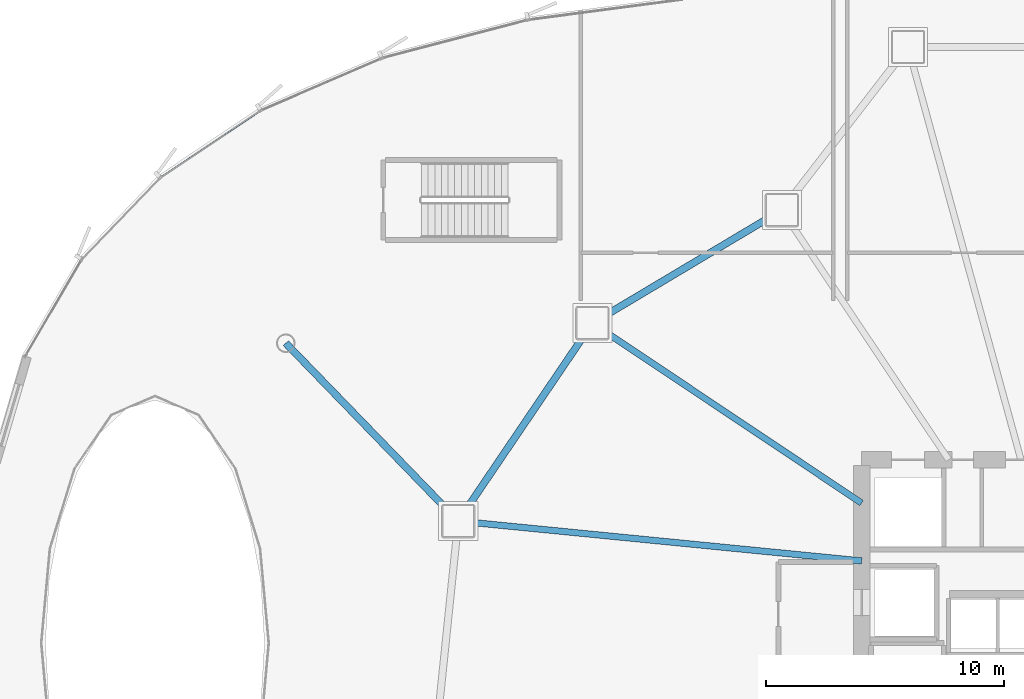
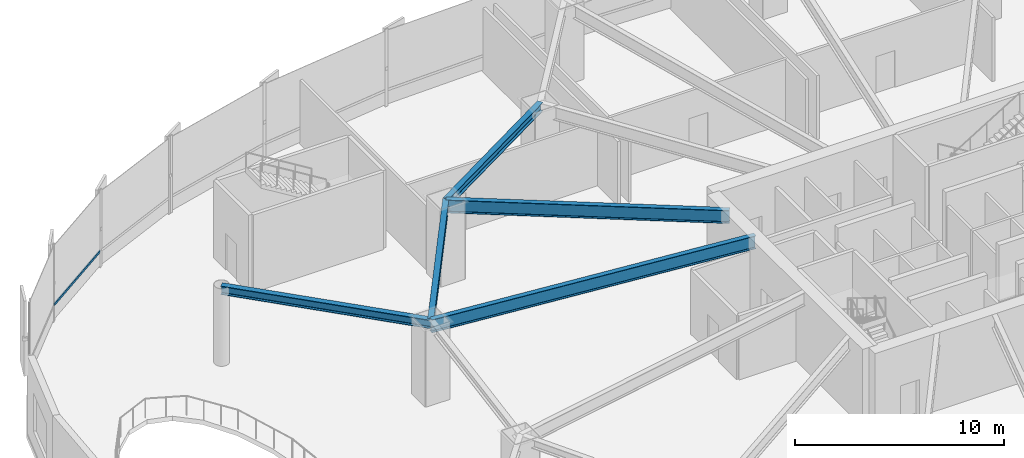
# One storey, part 11 of 34: 5 beams, 1 member, 1 element without a shape of its own.
"""IFC4 building model written with IfcOpenShell, lengths in metres."""

from ifc_helpers import new_model, si_unit, direction, frame, origin, origin_2d, place, context, subcontext, project, spatial, hollow_rectangle, i_section, extrude, source, transform, mapped, material, layer, layer_set, material_profile, profile_set, type_object, element, aggregate, save


model = new_model("IFC4")

# Units and contexts
model_context = context("Model", 3, precision=1e-05, world=origin(), true_north=direction((0.0, 1.0)))
body_context = subcontext(model_context, "Body", "Model", "MODEL_VIEW")
ifc_project = project(units=[si_unit("LENGTHUNIT", "METRE"), si_unit("AREAUNIT", "SQUARE_METRE"), si_unit("VOLUMEUNIT", "CUBIC_METRE"), si_unit("PLANEANGLEUNIT", "RADIAN"), si_unit("MASSUNIT", "GRAM", prefix="KILO"), si_unit("THERMODYNAMICTEMPERATUREUNIT", "KELVIN")], contexts=[model_context])

# Site, building, storey
site_placement = place(None, origin())
site = spatial("IfcSite", under=ifc_project, at=site_placement, CompositionType="ELEMENT")
building_placement = place(site_placement, origin())
building = spatial("IfcBuilding", under=site, at=building_placement, Name="Kethvar Cultural Tower", CompositionType="ELEMENT")
storey_placement = place(building_placement, frame((0.0, 0.0, 14.800048828125)))
storey = spatial("IfcBuildingStorey", under=building, at=storey_placement, Name="L03", CompositionType="ELEMENT", Elevation=14.800048828125)

# Beams
ifc_material_1 = material(Name="Steel S355J2", Category="steel")
ifc_material_profile_1 = material_profile(ifc_material_1, i_section(OverallWidth=0.300048828125, OverallDepth=0.5, WebThickness=0.014404296875, FlangeThickness=0.028076171875, FilletRadius=0.027099609375, at=origin_2d()), Name="Steel S355J2 — HEB500")
ifc_profile_set_1 = profile_set([ifc_material_profile_1], Name="Steel S355J2 — HEB500")
beam_type_1 = type_object("IfcBeamType", Name="BM-SP500", PredefinedType="SPANDREL", material=ifc_profile_set_1)
shared_shape_1 = source(origin(), body_context, "Body", "SweptSolid", [
    extrude(i_section(OverallWidth=0.300048828125, OverallDepth=0.5, WebThickness=0.014404296875, FlangeThickness=0.028076171875, FilletRadius=0.027099609375, at=origin_2d()), origin(), (0.0, 0.0, 1.0), 9.270263671875),
])
beam_1_placement = place(storey_placement, frame((34.64599609375, 45.98974609375, 4.27783203125), z_axis=(-0.858814626354, -0.51228647997, 0.0), x_axis=(0.51228647997, -0.858814626354, 0.0)))
element("IfcBeam", 1, at=beam_1_placement, inside=storey, type_object=beam_type_1, Name="L03 Podium Ring Beam 06", PredefinedType="SPANDREL", context=body_context, shape_type="MappedRepresentation", body=[
    mapped(shared_shape_1, transform((0.0, 0.0, 0.0), scale=1.0)),
])
shared_shape_2 = source(origin(), body_context, "Body", "SweptSolid", [
    extrude(i_section(OverallWidth=0.300048828125, OverallDepth=0.5, WebThickness=0.014404296875, FlangeThickness=0.028076171875, FilletRadius=0.027099609375, at=origin_2d()), origin(), (0.0, 0.0, 1.0), 10.048583984375),
])
beam_2_placement = place(storey_placement, frame((26.6845703125, 41.24072265625, 4.27783203125), z_axis=(-0.561025415443, -0.827798576483, 0.0), x_axis=(0.827798576483, -0.561025415443, 0.0)))
element("IfcBeam", 2, at=beam_2_placement, inside=storey, type_object=beam_type_1, Name="L03 Podium Ring Beam 07", PredefinedType="SPANDREL", context=body_context, shape_type="MappedRepresentation", body=[
    mapped(shared_shape_2, transform((0.0, 0.0, 0.0), scale=1.0)),
])
shared_shape_3 = source(origin(), body_context, "Body", "SweptSolid", [
    extrude(i_section(OverallWidth=0.300048828125, OverallDepth=0.5, WebThickness=0.014404296875, FlangeThickness=0.028076171875, FilletRadius=0.027099609375, at=origin_2d()), origin(), (0.0, 0.0, 1.0), 10.4130859375),
])
beam_3_placement = place(storey_placement, frame((13.800048828125, 40.39990234375, 4.27783203125), z_axis=(0.695965659729, -0.718075066047, 0.0), x_axis=(0.718075066047, 0.695965659729, 0.0)))
element("IfcBeam", 3, at=beam_3_placement, inside=storey, type_object=beam_type_1, Name="L03 West Atrium Wing Beam 02", PredefinedType="SPANDREL", context=body_context, shape_type="MappedRepresentation", body=[
    mapped(shared_shape_3, transform((0.0, 0.0, 0.0), scale=1.0)),
])
ifc_material_profile_2 = material_profile(ifc_material_1, i_section(OverallWidth=0.26708984375, OverallDepth=0.761962890625, WebThickness=0.014404296875, FlangeThickness=0.021484375, FilletRadius=0.01708984375, at=origin_2d()), Name="Steel S355J2 — IPE750x173")
ifc_profile_set_2 = profile_set([ifc_material_profile_2], Name="Steel S355J2 — IPE750x173")
beam_type_2 = type_object("IfcBeamType", Name="BM-IPE750", PredefinedType="BEAM", material=ifc_profile_set_2)
shared_shape_4 = source(origin(), body_context, "Body", "SweptSolid", [
    extrude(i_section(OverallWidth=0.26708984375, OverallDepth=0.761962890625, WebThickness=0.014404296875, FlangeThickness=0.021484375, FilletRadius=0.01708984375, at=origin_2d()), origin(), (0.0, 0.0, 1.0), 13.60888671875),
])
beam_4_placement = place(storey_placement, frame((38.0, 33.679931640625, 4.14697265625), z_axis=(-0.831467486755, 0.555573414113, 0.0), x_axis=(-0.555573414113, -0.831467486755, 0.0)))
element("IfcBeam", 4, at=beam_4_placement, inside=storey, type_object=beam_type_2, Name="L03 Podium Radial Girder 07", PredefinedType="BEAM", context=body_context, shape_type="MappedRepresentation", body=[
    mapped(shared_shape_4, transform((0.0, 0.0, 0.0), scale=1.0)),
])
shared_shape_5 = source(origin(), body_context, "Body", "SweptSolid", [
    extrude(i_section(OverallWidth=0.26708984375, OverallDepth=0.761962890625, WebThickness=0.014404296875, FlangeThickness=0.021484375, FilletRadius=0.01708984375, at=origin_2d()), origin(), (0.0, 0.0, 1.0), 17.03515625),
])
beam_5_placement = place(storey_placement, frame((38.0, 31.25, 4.14697265625), z_axis=(-0.995168138859, 0.098185413375, 0.0), x_axis=(-0.098185413375, -0.995168138859, 0.0)))
element("IfcBeam", 5, at=beam_5_placement, inside=storey, type_object=beam_type_2, Name="L03 Podium Radial Girder 08", PredefinedType="BEAM", context=body_context, shape_type="MappedRepresentation", body=[
    mapped(shared_shape_5, transform((0.0, 0.0, 0.0), scale=1.0)),
])

# Curtain wall, member
ifc_material_2 = material(Name="Aluminium 6063-T6", Category="aluminium")
ifc_layer = layer(ifc_material_2, 0.179931640625, Name="Aluminium 6063-T6", Category="aluminium")
ifc_layer_set = layer_set([ifc_layer], Name="Aluminium 6063-T6 (180 mm)")
curtain_wall_type = type_object("IfcCurtainWallType", Name="CW-SYS-01-POD", PredefinedType="NOTDEFINED", material=ifc_layer_set)
curtain_wall_placement = place(storey_placement, origin())
curtain_wall = element("IfcCurtainWall", 6, at=curtain_wall_placement, inside=storey, type_object=curtain_wall_type, Name="L03 Curtain Wall Run 03", PredefinedType="NOTDEFINED")
ifc_material_profile_3 = material_profile(ifc_material_2, hollow_rectangle(XDim=0.06005859375, YDim=0.139892578125, WallThickness=0.0048828125, at=origin_2d()), Name="Aluminium 6063-T6 — RHS140x60x5")
ifc_profile_set_3 = profile_set([ifc_material_profile_3], Name="Aluminium 6063-T6 — RHS140x60x5")
member_type = type_object("IfcMemberType", Name="CW-SYS-01-POD-TRN", PredefinedType="USERDEFINED", material=ifc_profile_set_3)
shared_shape_6 = source(origin(), body_context, "Body", "SweptSolid", [
    extrude(hollow_rectangle(XDim=0.06005859375, YDim=0.139892578125, WallThickness=0.0048828125, at=origin_2d()), origin(), (0.0, 0.0, 1.0), 4.991455078125),
])
member_placement = place(storey_placement, frame((12.701171875, 50.14599609375, 0.949951171875), z_axis=(-0.830806616573, -0.556561196867, 0.0), x_axis=(0.556561196867, -0.830806616573, 0.0)))
member = element("IfcMember", 7, at=member_placement, type_object=member_type, Name="CW-L03-R03 Transom 2", ObjectType="TRANSOM", PredefinedType="USERDEFINED", context=body_context, shape_type="MappedRepresentation", body=[
    mapped(shared_shape_6, transform((0.0, 0.0, 0.0), scale=1.0)),
])
aggregate(curtain_wall, [member])

save(model, "model.ifc")
